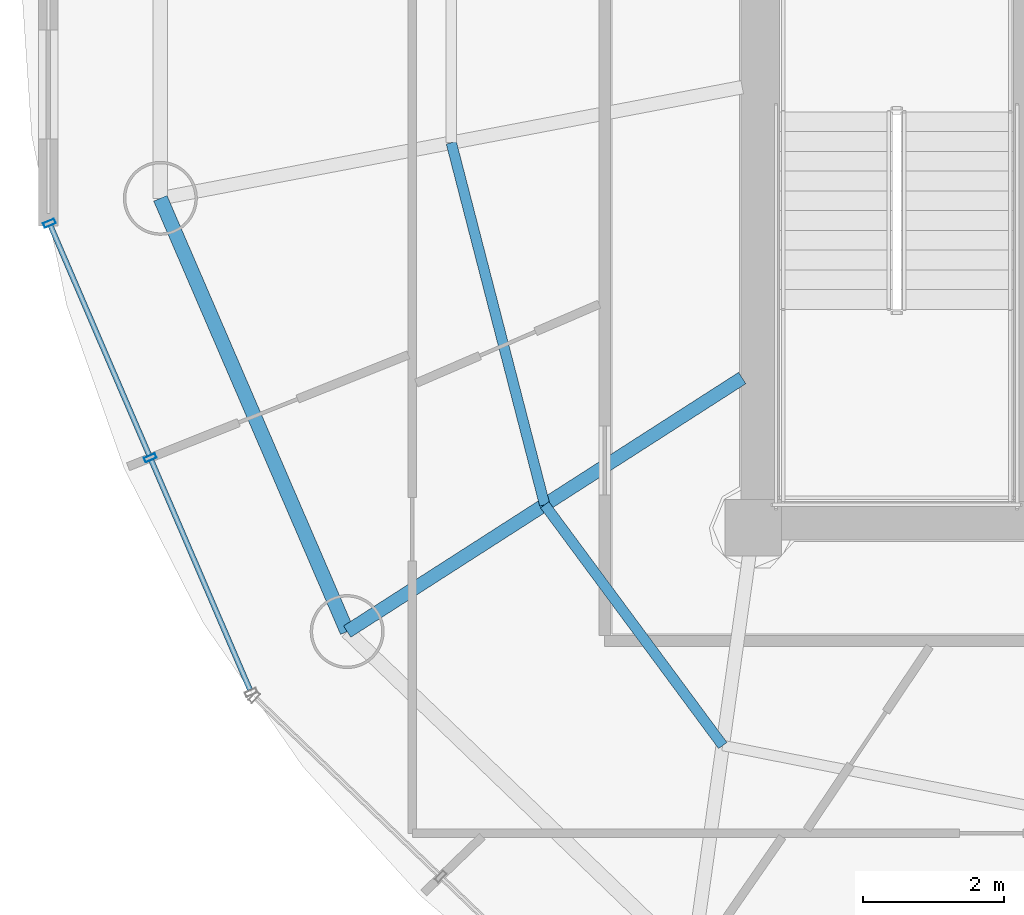
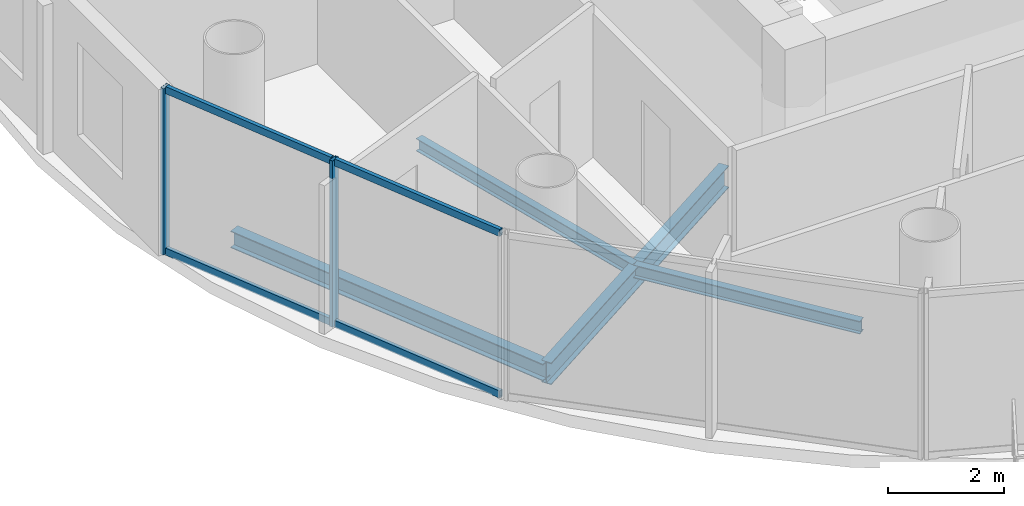
# One storey, part 4 of 23: 6 members, 4 beams, 1 element without a shape of its own.
"""IFC4 building model written with IfcOpenShell, lengths in metres."""

from ifc_helpers import new_model, si_unit, direction, frame, origin, origin_2d, place, context, subcontext, project, spatial, hollow_rectangle, i_section, extrude, source, transform, mapped, material, material_profile, profile_set, type_object, element, aggregate, save


model = new_model("IFC4")

# Units and contexts
model_context = context("Model", 3, precision=1e-05, world=origin(), true_north=direction((-0.2419218956, 0.970295726276)))
body_context = subcontext(model_context, "Body", "Model", "MODEL_VIEW")
ifc_project = project(units=[si_unit("LENGTHUNIT", "METRE"), si_unit("AREAUNIT", "SQUARE_METRE"), si_unit("VOLUMEUNIT", "CUBIC_METRE"), si_unit("PLANEANGLEUNIT", "RADIAN"), si_unit("MASSUNIT", "GRAM", prefix="KILO")], contexts=[model_context])

# Site, building, storey
site_placement = place(None, origin())
site = spatial("IfcSite", under=ifc_project, at=site_placement, CompositionType="ELEMENT")
building_placement = place(site_placement, origin())
building = spatial("IfcBuilding", under=site, at=building_placement, Name="Cobrevalo Terracotta Tower", CompositionType="ELEMENT")
storey_placement = place(building_placement, frame((0.0, 0.0, 259.449951171875)))
storey = spatial("IfcBuildingStorey", under=building, at=storey_placement, Name="L68", CompositionType="ELEMENT", Elevation=259.449951171875)

# Beams
ifc_material_1 = material(Name="Steel S355", Category="steel")
ifc_material_profile_1 = material_profile(ifc_material_1, i_section(OverallWidth=0.19091796875, OverallDepth=0.4599609375, WebThickness=0.010009765625, FlangeThickness=0.01611328125, at=origin_2d()), Name="W 460x82")
ifc_profile_set_1 = profile_set([ifc_material_profile_1], Name="Steel S355")
beam_type_1 = type_object("IfcBeamType", Name="Structural Beam W 460x82 (Steel S355)", PredefinedType="BEAM", material=ifc_profile_set_1)
beam_1_placement = place(storey_placement, frame((23.241455078125, 17.32763671875, -0.489990234375), z_axis=(0.84157615512, 0.540138477739, 0.0), x_axis=(-0.540138477739, 0.84157615512, 0.0)))
element("IfcBeam", 1, at=beam_1_placement, inside=storey, type_object=beam_type_1, Name="L68 radial floor girder 10", PredefinedType="BEAM", context=body_context, shape_type="SweptSolid", body=[
    extrude(i_section(OverallWidth=0.19091796875, OverallDepth=0.4599609375, WebThickness=0.010009765625, FlangeThickness=0.01611328125, at=origin_2d()), origin(), (0.0, 0.0, 1.0), 6.658447265625),
])
ifc_material_profile_2 = material_profile(ifc_material_1, i_section(OverallWidth=0.14794921875, OverallDepth=0.26611328125, WebThickness=0.007568359375, FlangeThickness=0.012939453125, at=origin_2d()), Name="W 250x44.8")
ifc_profile_set_2 = profile_set([ifc_material_profile_2], Name="Steel S355")
beam_type_2 = type_object("IfcBeamType", Name="Structural Joist W 250x44.8 (Steel S355)", PredefinedType="JOIST", material=ifc_profile_set_2)
beam_2_placement = place(storey_placement, frame((24.718017578125, 24.26220703125, -0.39306640625), z_axis=(0.249816773293, -0.968293126993, 0.0), x_axis=(0.968293126993, 0.249816773293, 0.0)))
element("IfcBeam", 2, at=beam_2_placement, inside=storey, type_object=beam_type_2, Name="L68 circumferential secondary floor joist 09", PredefinedType="JOIST", context=body_context, shape_type="SweptSolid", body=[
    extrude(i_section(OverallWidth=0.14794921875, OverallDepth=0.26611328125, WebThickness=0.007568359375, FlangeThickness=0.012939453125, at=origin_2d()), origin(), (0.0, 0.0, 1.0), 5.3046875),
])
beam_3_placement = place(storey_placement, frame((26.043212890625, 19.125732421875, -0.39306640625), z_axis=(0.594799916617, -0.803873783123, 0.0), x_axis=(0.803873783123, 0.594799916617, 0.0)))
element("IfcBeam", 3, at=beam_3_placement, inside=storey, type_object=beam_type_2, Name="L68 circumferential secondary floor joist 10", PredefinedType="JOIST", context=body_context, shape_type="SweptSolid", body=[
    extrude(i_section(OverallWidth=0.14794921875, OverallDepth=0.26611328125, WebThickness=0.007568359375, FlangeThickness=0.012939453125, at=origin_2d()), origin(), (0.0, 0.0, 1.0), 4.2470703125),
])
ifc_material_profile_3 = material_profile(ifc_material_1, i_section(OverallWidth=0.205078125, OverallDepth=0.35400390625, WebThickness=0.009521484375, FlangeThickness=0.016845703125, at=origin_2d()), Name="W 360x79")
ifc_profile_set_3 = profile_set([ifc_material_profile_3], Name="Steel S355")
beam_type_3 = type_object("IfcBeamType", Name="Structural Spandrel W 360x79 (Steel S355)", PredefinedType="SPANDREL", material=ifc_profile_set_3)
beam_4_placement = place(storey_placement, frame((20.591064453125, 23.4736328125, -0.43701171875), z_axis=(0.395987390706, -0.918255948198, 0.0), x_axis=(0.918255948198, 0.395987390706, 0.0)))
element("IfcBeam", 4, at=beam_4_placement, inside=storey, type_object=beam_type_3, Name="L68 perimeter ring spandrel 09", PredefinedType="SPANDREL", context=body_context, shape_type="SweptSolid", body=[
    extrude(i_section(OverallWidth=0.205078125, OverallDepth=0.35400390625, WebThickness=0.009521484375, FlangeThickness=0.016845703125, at=origin_2d()), origin(), (0.0, 0.0, 1.0), 6.693115234375),
])

# Curtain wall, members
ifc_material_2 = material(Name="Anodized aluminium", Category="aluminium")
curtain_wall_type = type_object("IfcCurtainWallType", Name="Upper-tower triple-glazed penthouse curtain wall CW-U3", PredefinedType="NOTDEFINED", material=ifc_material_2)
curtain_wall_placement = place(storey_placement, origin())
curtain_wall = element("IfcCurtainWall", 5, at=curtain_wall_placement, inside=storey, type_object=curtain_wall_type, Name="L68 curtain wall CW-L68-S09", PredefinedType="NOTDEFINED")
ifc_material_profile_4 = material_profile(ifc_material_2, hollow_rectangle(XDim=0.070068359375, YDim=0.169921875, WallThickness=0.00439453125, at=origin_2d()), Name="CWM 70x170")
ifc_profile_set_4 = profile_set([ifc_material_profile_4], Name="Anodized aluminium")
member_type_1 = type_object("IfcMemberType", Name="Upper tower unitised mullion 70x170", PredefinedType="MULLION", material=ifc_profile_set_4)
shared_shape_1 = source(origin(), body_context, "Body", "SweptSolid", [
    extrude(hollow_rectangle(XDim=0.070068359375, YDim=0.169921875, WallThickness=0.00439453125, at=origin_2d()), origin(), (0.0, 0.0, 1.0), 3.489990234375),
])
member_1_placement = place(storey_placement, frame((19.01806640625, 23.120849609375, 0.0), z_axis=(0.0, 0.0, 1.0), x_axis=(0.39482403454, -0.91875675875, 0.0)))
member_1 = element("IfcMember", 6, at=member_1_placement, type_object=member_type_1, Name="CW-L68-S09 vertical mullion 01", PredefinedType="MULLION", context=body_context, shape_type="MappedRepresentation", body=[
    mapped(shared_shape_1, transform((0.0, 0.0, 0.0), scale=1.0)),
])
member_2_placement = place(storey_placement, frame((20.4482421875, 19.79248046875, 0.0), z_axis=(0.0, 0.0, 1.0), x_axis=(0.39482403454, -0.91875675875, 0.0)))
member_2 = element("IfcMember", 7, at=member_2_placement, type_object=member_type_1, Name="CW-L68-S09 vertical mullion 02", PredefinedType="MULLION", context=body_context, shape_type="MappedRepresentation", body=[
    mapped(shared_shape_1, transform((0.0, 0.0, 0.0), scale=1.0)),
])
ifc_material_profile_5 = material_profile(ifc_material_2, hollow_rectangle(XDim=0.074951171875, YDim=0.14990234375, WallThickness=0.00439453125, at=origin_2d()), Name="CWT 75x150")
ifc_profile_set_5 = profile_set([ifc_material_profile_5], Name="Anodized aluminium")
member_type_2 = type_object("IfcMemberType", Name="Tower unitised aluminium transom 75x150", PredefinedType="USERDEFINED", material=ifc_profile_set_5)
shared_shape_2 = source(origin(), body_context, "Body", "SweptSolid", [
    extrude(hollow_rectangle(XDim=0.074951171875, YDim=0.14990234375, WallThickness=0.00439453125, at=origin_2d()), origin(), (0.0, 0.0, 1.0), 3.542724609375),
])
member_3_placement = place(storey_placement, frame((19.03369140625, 23.084228515625, 0.050048828125), z_axis=(0.394867226589, -0.918738196314, 0.0), x_axis=(0.918738196314, 0.394867226589, 0.0)))
member_3 = element("IfcMember", 8, at=member_3_placement, type_object=member_type_2, Name="CW-L68-S09 transom B01-T1", ObjectType="TRANSOM", PredefinedType="USERDEFINED", context=body_context, shape_type="MappedRepresentation", body=[
    mapped(shared_shape_2, transform((0.0, 0.0, 0.0), scale=1.0)),
])
member_4_placement = place(storey_placement, frame((19.03369140625, 23.084228515625, 3.43994140625), z_axis=(0.394867226589, -0.918738196314, 0.0), x_axis=(0.918738196314, 0.394867226589, 0.0)))
member_4 = element("IfcMember", 9, at=member_4_placement, type_object=member_type_2, Name="CW-L68-S09 transom B01-T2", ObjectType="TRANSOM", PredefinedType="USERDEFINED", context=body_context, shape_type="MappedRepresentation", body=[
    mapped(shared_shape_2, transform((0.0, 0.0, 0.0), scale=1.0)),
])
member_5_placement = place(storey_placement, frame((20.464111328125, 19.755859375, 0.050048828125), z_axis=(0.394809056766, -0.918763195114, 0.0), x_axis=(0.918763195114, 0.394809056766, 0.0)))
member_5 = element("IfcMember", 10, at=member_5_placement, type_object=member_type_2, Name="CW-L68-S09 transom B02-T1", ObjectType="TRANSOM", PredefinedType="USERDEFINED", context=body_context, shape_type="MappedRepresentation", body=[
    mapped(shared_shape_2, transform((0.0, 0.0, 0.0), scale=1.0)),
])
member_6_placement = place(storey_placement, frame((20.464111328125, 19.755859375, 3.43994140625), z_axis=(0.394809056766, -0.918763195114, 0.0), x_axis=(0.918763195114, 0.394809056766, 0.0)))
member_6 = element("IfcMember", 11, at=member_6_placement, type_object=member_type_2, Name="CW-L68-S09 transom B02-T2", ObjectType="TRANSOM", PredefinedType="USERDEFINED", context=body_context, shape_type="MappedRepresentation", body=[
    mapped(shared_shape_2, transform((0.0, 0.0, 0.0), scale=1.0)),
])
aggregate(curtain_wall, [member_1, member_2, member_3, member_4, member_5, member_6])

save(model, "model.ifc")
